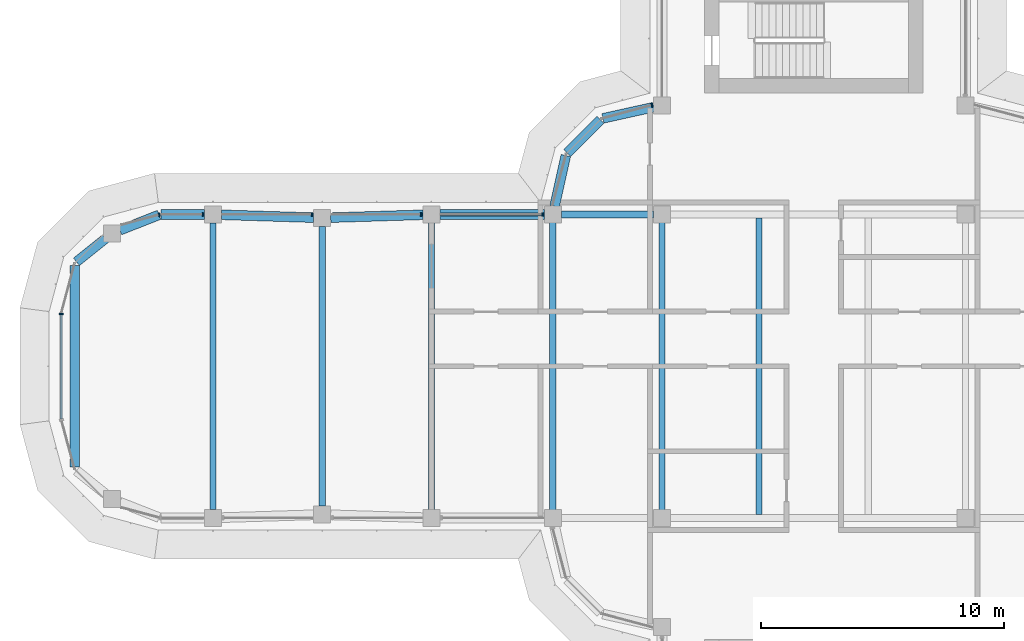
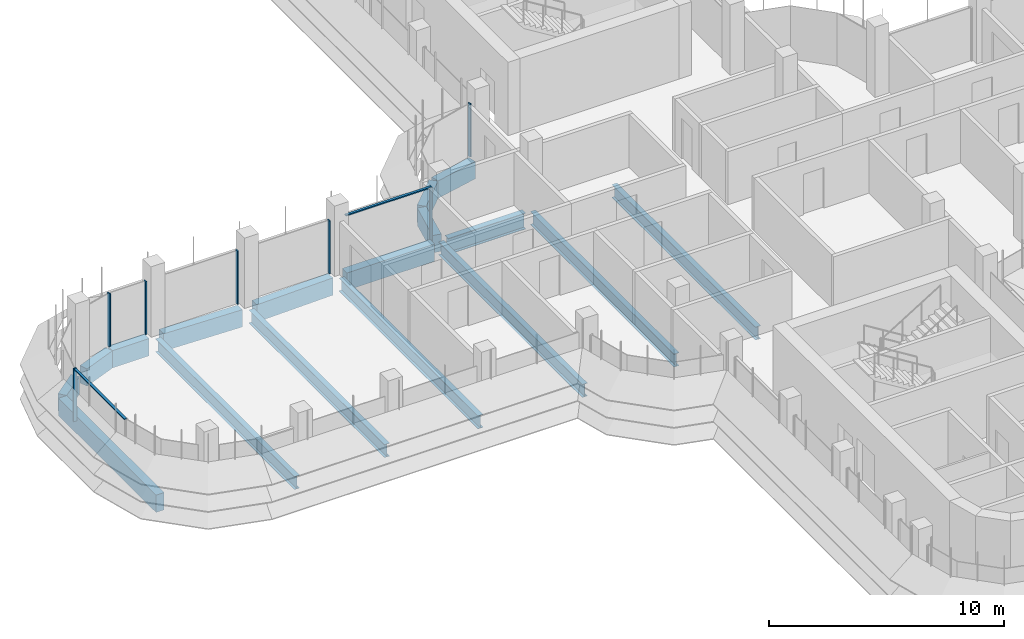
# One storey, part 6 of 18: 17 beams, 9 members, 4 elements without a shape of their own.
"""IFC4 building model written with IfcOpenShell, lengths in metres."""

from ifc_helpers import new_model, si_unit, direction, frame, origin, origin_2d, place, context, subcontext, project, spatial, polyline, rectangle, i_section, outline, extrude, source, transform, mapped, material, material_profile, profile_set, type_object, element, aggregate, save


model = new_model("IFC4")

# Units and contexts
model_context = context("Model", 3, precision=1e-05, world=origin(), true_north=direction((0.0, 1.0)))
body_context = subcontext(model_context, "Body", "Model", "MODEL_VIEW")
ifc_project = project(units=[si_unit("LENGTHUNIT", "METRE"), si_unit("AREAUNIT", "SQUARE_METRE"), si_unit("VOLUMEUNIT", "CUBIC_METRE"), si_unit("PLANEANGLEUNIT", "RADIAN"), si_unit("MASSUNIT", "GRAM", prefix="KILO")], contexts=[model_context])

# Site, building, storey
site_placement = place(None, origin())
site = spatial("IfcSite", under=ifc_project, at=site_placement, CompositionType="ELEMENT")
building_placement = place(site_placement, origin())
building = spatial("IfcBuilding", under=site, at=building_placement, Name="Zarbagh Exchange Tower", CompositionType="ELEMENT")
storey_placement = place(building_placement, frame((0.0, 0.0, 214.39990234375)))
storey = spatial("IfcBuildingStorey", under=building, at=storey_placement, Name="L52", CompositionType="ELEMENT", Elevation=214.39990234375)

# Beams
ifc_material_1 = material(Name="Steel ASTM A992 Gr 50", Category="steel")
ifc_material_profile_1 = material_profile(ifc_material_1, i_section(OverallWidth=0.25390625, OverallDepth=0.67822265625, WebThickness=0.01171875, FlangeThickness=0.016357421875, at=origin_2d()), Name="W27X84")
ifc_profile_set_1 = profile_set([ifc_material_profile_1], Name="Steel ASTM A992 Gr 50")
beam_type_1 = type_object("IfcBeamType", Name="Floor beam W27X84", PredefinedType="BEAM", material=ifc_profile_set_1)
for number, where, z_axis, x_axis, name in (
    (1, (-10.75, -6.10400390625, -0.489013671875), (0.0, 1.0, 0.0), (-1.0, 0.0, 0.0), "Steel floor beam"),
    (2, (-6.25, -6.10400390625, -0.489013671875), (0.0, 1.0, 0.0), (-1.0, 0.0, 0.0), "Steel floor beam"),
    (3, (-2.25, -6.10400390625, -0.489013671875), (0.0, 1.0, 0.0), (-1.0, 0.0, 0.0), "Steel floor beam"),
):
    element("IfcBeam", number, at=place(storey_placement, frame(where, z_axis=z_axis, x_axis=x_axis)), inside=storey, type_object=beam_type_1, Name=name, PredefinedType="BEAM", context=body_context, shape_type="SweptSolid", body=[
        extrude(i_section(OverallWidth=0.25390625, OverallDepth=0.67822265625, WebThickness=0.01171875, FlangeThickness=0.016357421875, at=origin_2d()), origin(), (0.0, 0.0, 1.0), 12.2080078125),
    ])
beam_1_placement = place(storey_placement, frame((-15.75, -5.89990234375, -0.489013671875), z_axis=(0.0, 1.0, 0.0), x_axis=(-1.0, 0.0, 0.0)))
element("IfcBeam", 4, at=beam_1_placement, inside=storey, type_object=beam_type_1, Name="Steel floor beam", PredefinedType="BEAM", context=body_context, shape_type="SweptSolid", body=[
    extrude(i_section(OverallWidth=0.25390625, OverallDepth=0.67822265625, WebThickness=0.01171875, FlangeThickness=0.016357421875, at=origin_2d()), origin(), (0.0, 0.0, 1.0), 11.7998046875),
])
beam_2_placement = place(storey_placement, frame((-20.25, -5.760009765625, -0.489013671875), z_axis=(0.0, 1.0, 0.0), x_axis=(-1.0, 0.0, 0.0)))
element("IfcBeam", 5, at=beam_2_placement, inside=storey, type_object=beam_type_1, Name="Steel floor beam", PredefinedType="BEAM", context=body_context, shape_type="SweptSolid", body=[
    extrude(i_section(OverallWidth=0.25390625, OverallDepth=0.67822265625, WebThickness=0.01171875, FlangeThickness=0.016357421875, at=origin_2d()), origin(), (0.0, 0.0, 1.0), 11.52001953125),
])
beam_3_placement = place(storey_placement, frame((-24.75, -5.89990234375, -0.489013671875), z_axis=(0.0, 1.0, 0.0), x_axis=(-1.0, 0.0, 0.0)))
element("IfcBeam", 6, at=beam_3_placement, inside=storey, type_object=beam_type_1, Name="Steel floor beam", PredefinedType="BEAM", context=body_context, shape_type="SweptSolid", body=[
    extrude(i_section(OverallWidth=0.25390625, OverallDepth=0.67822265625, WebThickness=0.01171875, FlangeThickness=0.016357421875, at=origin_2d()), origin(), (0.0, 0.0, 1.0), 11.7998046875),
])
ifc_material_profile_2 = material_profile(ifc_material_1, i_section(OverallWidth=0.2919921875, OverallDepth=0.835693359375, WebThickness=0.013916015625, FlangeThickness=0.018798828125, at=origin_2d()), Name="W33X118")
ifc_profile_set_2 = profile_set([ifc_material_profile_2], Name="Steel ASTM A992 Gr 50")
beam_type_2 = type_object("IfcBeamType", Name="Floor girder W33X118", PredefinedType="BEAM", material=ifc_profile_set_2)
beam_4_placement = place(storey_placement, frame((-10.39990234375, 6.25, -0.567626953125), z_axis=(1.0, 0.0, 0.0), x_axis=(0.0, 1.0, 0.0)))
element("IfcBeam", 7, at=beam_4_placement, inside=storey, type_object=beam_type_2, Name="Steel girder", PredefinedType="BEAM", context=body_context, shape_type="SweptSolid", body=[
    extrude(i_section(OverallWidth=0.2919921875, OverallDepth=0.835693359375, WebThickness=0.013916015625, FlangeThickness=0.018798828125, at=origin_2d()), origin(), (0.0, 0.0, 1.0), 3.7998046875),
])
ifc_material_2 = material(Name="Concrete C50/60", Category="concrete")
ifc_material_profile_3 = material_profile(ifc_material_2, rectangle(XDim=0.39990234375, YDim=0.89990234375, at=origin_2d()), Name="RC spandrel beam 400 x 900 C50/60")
ifc_profile_set_3 = profile_set([ifc_material_profile_3], Name="Concrete C50/60")
beam_type_3 = type_object("IfcBeamType", Name="RC spandrel beam 400 x 900 C50/60", PredefinedType="SPANDREL", material=ifc_profile_set_3)
beam_5_placement = place(storey_placement, frame((-30.44873046875, -4.14501953125, -0.599853515625), z_axis=(0.0, 1.0, 0.0), x_axis=(-1.0, 0.0, 0.0)))
element("IfcBeam", 8, at=beam_5_placement, inside=storey, type_object=beam_type_3, Name="RC spandrel beam", PredefinedType="SPANDREL", context=body_context, shape_type="SweptSolid", body=[
    extrude(rectangle(XDim=0.39990234375, YDim=0.89990234375, at=origin_2d()), origin(), (0.0, 0.0, 1.0), 8.2900390625),
])
beam_6_placement = place(storey_placement, frame((-30.373779296875, 4.30126953125, -0.599853515625), z_axis=(0.780634897504, 0.62498732531, 0.0), x_axis=(-0.62498732531, 0.780634897504, 0.0)))
element("IfcBeam", 9, at=beam_6_placement, inside=storey, type_object=beam_type_3, Name="RC spandrel beam", PredefinedType="SPANDREL", context=body_context, shape_type="SweptSolid", body=[
    extrude(rectangle(XDim=0.39990234375, YDim=0.89990234375, at=origin_2d()), origin(), (0.0, 0.0, 1.0), 1.52783203125),
])
beam_7_placement = place(storey_placement, frame((-28.582275390625, 5.602783203125, -0.599853515625), z_axis=(0.930809711446, 0.365504146457, 0.0), x_axis=(-0.365504146457, 0.930809711446, 0.0)))
element("IfcBeam", 10, at=beam_7_placement, inside=storey, type_object=beam_type_3, Name="RC spandrel beam", PredefinedType="SPANDREL", context=body_context, shape_type="SweptSolid", body=[
    extrude(rectangle(XDim=0.39990234375, YDim=0.89990234375, at=origin_2d()), origin(), (0.0, 0.0, 1.0), 1.732666015625),
])
beam_8_placement = place(storey_placement, frame((-26.896240234375, 6.25, -0.599853515625), z_axis=(1.0, 0.0, 0.0), x_axis=(0.0, 1.0, 0.0)))
element("IfcBeam", 11, at=beam_8_placement, inside=storey, type_object=beam_type_3, Name="RC spandrel beam", PredefinedType="SPANDREL", context=body_context, shape_type="SweptSolid", body=[
    extrude(rectangle(XDim=0.39990234375, YDim=0.89990234375, at=origin_2d()), origin(), (0.0, 0.0, 1.0), 1.796142578125),
])
for number, where, z_axis, x_axis, name in (
    (12, (-24.400146484375, 6.239013671875, -0.599853515625), (0.999516950199, -0.031078389046, 0.0), (0.031078389046, 0.999516950199, 0.0), "RC spandrel beam"),
    (13, (-19.900146484375, 6.120849609375, -0.599853515625), (0.999516950199, 0.031078389046, 0.0), (-0.031078389046, 0.999516950199, 0.0), "RC spandrel beam"),
):
    element("IfcBeam", number, at=place(storey_placement, frame(where, z_axis=z_axis, x_axis=x_axis)), inside=storey, type_object=beam_type_3, Name=name, PredefinedType="SPANDREL", context=body_context, shape_type="SweptSolid", body=[
        extrude(rectangle(XDim=0.39990234375, YDim=0.89990234375, at=origin_2d()), origin(), (0.0, 0.0, 1.0), 3.80224609375),
    ])
beam_9_placement = place(storey_placement, frame((-15.39990234375, 6.25, -0.599853515625), z_axis=(1.0, 0.0, 0.0), x_axis=(0.0, 1.0, 0.0)))
element("IfcBeam", 14, at=beam_9_placement, inside=storey, type_object=beam_type_3, Name="RC spandrel beam", PredefinedType="SPANDREL", context=body_context, shape_type="SweptSolid", body=[
    extrude(rectangle(XDim=0.39990234375, YDim=0.89990234375, at=origin_2d()), origin(), (0.0, 0.0, 1.0), 4.2998046875),
])
beam_10_placement = place(storey_placement, frame((-10.67431640625, 6.591796875, -0.599853515625), z_axis=(0.216013551096, 0.97639036545, 0.0), x_axis=(-0.97639036545, 0.216013551096, 0.0)))
element("IfcBeam", 15, at=beam_10_placement, inside=storey, type_object=beam_type_3, Name="RC spandrel beam", PredefinedType="SPANDREL", context=body_context, shape_type="SweptSolid", body=[
    extrude(rectangle(XDim=0.39990234375, YDim=0.89990234375, at=origin_2d()), origin(), (0.0, 0.0, 1.0), 2.142822265625),
])
beam_11_placement = place(storey_placement, frame((-10.15771484375, 8.782470703125, -0.599853515625), z_axis=(0.707106781187, 0.707106781187, 0.0), x_axis=(-0.707106781187, 0.707106781187, 0.0)))
element("IfcBeam", 16, at=beam_11_placement, inside=storey, type_object=beam_type_3, Name="RC spandrel beam", PredefinedType="SPANDREL", context=body_context, shape_type="SweptSolid", body=[
    extrude(rectangle(XDim=0.39990234375, YDim=0.89990234375, at=origin_2d()), origin(), (0.0, 0.0, 1.0), 1.94482421875),
])
beam_12_placement = place(storey_placement, frame((-8.68408203125, 10.21142578125, -0.599853515625), z_axis=(0.97639036545, 0.216013551096, 0.0), x_axis=(-0.216013551096, 0.97639036545, 0.0)))
element("IfcBeam", 17, at=beam_12_placement, inside=storey, type_object=beam_type_3, Name="RC spandrel beam", PredefinedType="SPANDREL", context=body_context, shape_type="SweptSolid", body=[
    extrude(rectangle(XDim=0.39990234375, YDim=0.89990234375, at=origin_2d()), origin(), (0.0, 0.0, 1.0), 2.142822265625),
])

# Curtain wall, member
ifc_material_3 = material(Name="Anodised aluminium frame and glazing", Category="aluminium")
curtain_wall_type = type_object("IfcCurtainWallType", Name="CWB Ribbon glazing, upper zones", PredefinedType="NOTDEFINED", material=ifc_material_3)
curtain_wall_1_placement = place(storey_placement, origin())
curtain_wall_1 = element("IfcCurtainWall", 18, at=curtain_wall_1_placement, inside=storey, type_object=curtain_wall_type, Name="CWB29 curtain wall", PredefinedType="NOTDEFINED")
ifc_material_4 = material(Name="Anodised aluminium frame", Category="aluminium")
member_type_1 = type_object("IfcMemberType", Name="MUB Mullion, anodised aluminium frame", PredefinedType="MULLION", material=ifc_material_4)
shared_shape_1 = source(origin(), body_context, "Body", "SweptSolid", [
    extrude(outline(polyline([(0.0, -0.080078125), (0.06005859375, -0.080078125), (0.06005859375, 0.080078125), (0.0, 0.080078125), (0.0, -0.080078125)])), origin(), (0.0, 0.0, 1.0), 2.75),
])
placement = place(storey_placement, origin())
member_1 = element("IfcMember", 19, at=placement, type_object=member_type_1, Name="CWB29 mullion 1.1", PredefinedType="MULLION", context=body_context, shape_type="MappedRepresentation", body=[
    mapped(shared_shape_1, transform((-6.64013671875, 10.76171875, 0.0), x_axis=(-0.965924289636, -0.258824779902, 0.0), y_axis=(0.258824779902, -0.965924289636, 0.0), z_axis=(0.0, 0.0, 1.0))),
])
aggregate(curtain_wall_1, [member_1])

# Curtain wall, members
curtain_wall_2_placement = place(storey_placement, origin())
curtain_wall_2 = element("IfcCurtainWall", 20, at=curtain_wall_2_placement, inside=storey, type_object=curtain_wall_type, Name="CWB58 curtain wall", PredefinedType="NOTDEFINED")
member_2 = element("IfcMember", 21, at=placement, type_object=member_type_1, Name="CWB58 mullion 1.1", PredefinedType="MULLION", context=body_context, shape_type="MappedRepresentation", body=[
    mapped(shared_shape_1, transform((-11.14013671875, 6.25, 0.0), x_axis=(-1.0, 0.0, 0.0), y_axis=(0.0, -1.0, 0.0), z_axis=(0.0, 0.0, 1.0))),
])
member_3 = element("IfcMember", 22, at=placement, type_object=member_type_1, Name="CWB58 mullion 2.1", PredefinedType="MULLION", context=body_context, shape_type="MappedRepresentation", body=[
    mapped(shared_shape_1, transform((-16.14013671875, 6.25, 0.0), x_axis=(-1.0, 0.0, 0.0), y_axis=(0.0, -1.0, 0.0), z_axis=(0.0, 0.0, 1.0))),
])
member_4 = element("IfcMember", 23, at=placement, type_object=member_type_1, Name="CWB58 mullion 3.1", PredefinedType="MULLION", context=body_context, shape_type="MappedRepresentation", body=[
    mapped(shared_shape_1, transform((-20.64013671875, 6.25, 0.0), x_axis=(-1.0, 0.0, 0.0), y_axis=(0.0, -1.0, 0.0), z_axis=(0.0, 0.0, 1.0))),
])
member_5 = element("IfcMember", 24, at=placement, type_object=member_type_1, Name="CWB58 mullion 4.1", PredefinedType="MULLION", context=body_context, shape_type="MappedRepresentation", body=[
    mapped(shared_shape_1, transform((-25.14013671875, 6.25, 0.0), x_axis=(-1.0, 0.0, 0.0), y_axis=(0.0, -1.0, 0.0), z_axis=(0.0, 0.0, 1.0))),
])

# Curtain wall, member
curtain_wall_3_placement = place(storey_placement, origin())
curtain_wall_3 = element("IfcCurtainWall", 25, at=curtain_wall_3_placement, inside=storey, type_object=curtain_wall_type, Name="CWB59 curtain wall", PredefinedType="NOTDEFINED")
member_6 = element("IfcMember", 26, at=placement, type_object=member_type_1, Name="CWB59 mullion 1.1", PredefinedType="MULLION", context=body_context, shape_type="MappedRepresentation", body=[
    mapped(shared_shape_1, transform((-26.93408203125, 6.25, 0.0), x_axis=(-0.965924289636, -0.258824779902, 0.0), y_axis=(0.258824779902, -0.965924289636, 0.0), z_axis=(0.0, 0.0, 1.0))),
])
aggregate(curtain_wall_3, [member_6])

# Curtain wall, members
curtain_wall_4_placement = place(storey_placement, origin())
curtain_wall_4 = element("IfcCurtainWall", 27, at=curtain_wall_4_placement, inside=storey, type_object=curtain_wall_type, Name="CWB66 curtain wall", PredefinedType="NOTDEFINED")
member_7 = element("IfcMember", 28, at=placement, type_object=member_type_1, Name="CWB66 mullion 1.1", PredefinedType="MULLION", context=body_context, shape_type="MappedRepresentation", body=[
    mapped(shared_shape_1, transform((-31.0, 2.18408203125, 0.0), x_axis=(0.0, -1.0, 0.0), y_axis=(1.0, 0.0, 0.0), z_axis=(0.0, 0.0, 1.0))),
])
member_type_2 = type_object("IfcMemberType", Name="TRB Transom, anodised aluminium frame", PredefinedType="USERDEFINED", material=ifc_material_4)
shared_shape_2 = source(origin(), body_context, "Body", "SweptSolid", [
    extrude(outline(polyline([(-0.06005859375, -0.06005859375), (0.0, -0.06005859375), (0.0, 0.06005859375), (-0.06005859375, 0.06005859375), (-0.06005859375, -0.06005859375)])), origin(), (0.0, 0.0, 1.0), 4.308349609375),
])
member_8 = element("IfcMember", 29, at=placement, type_object=member_type_2, Name="CWB66 transom 1.1", ObjectType="TRANSOM", PredefinedType="USERDEFINED", context=body_context, shape_type="MappedRepresentation", body=[
    mapped(shared_shape_2, transform((-31.0, 2.124267578125, 2.75), x_axis=(0.0, 0.0, 1.0), y_axis=(-1.0, 0.0, 0.0), z_axis=(0.0, -1.0, 0.0))),
])
aggregate(curtain_wall_4, [member_7, member_8])

# Member
shared_shape_3 = source(origin(), body_context, "Body", "SweptSolid", [
    extrude(outline(polyline([(-0.06005859375, -0.06005859375), (0.0, -0.06005859375), (0.0, 0.06005859375), (-0.06005859375, 0.06005859375), (-0.06005859375, -0.06005859375)])), origin(), (0.0, 0.0, 1.0), 4.159912109375),
])
member_9 = element("IfcMember", 30, at=placement, type_object=member_type_2, Name="CWB58 transom 1.1", ObjectType="TRANSOM", PredefinedType="USERDEFINED", context=body_context, shape_type="MappedRepresentation", body=[
    mapped(shared_shape_3, transform((-11.199951171875, 6.25, 2.75), x_axis=(0.0, 0.0, 1.0), y_axis=(0.0, 1.0, 0.0), z_axis=(-1.0, 0.0, 0.0))),
])

aggregate(curtain_wall_2, [member_2, member_9, member_3, member_4, member_5])

save(model, "model.ifc")
